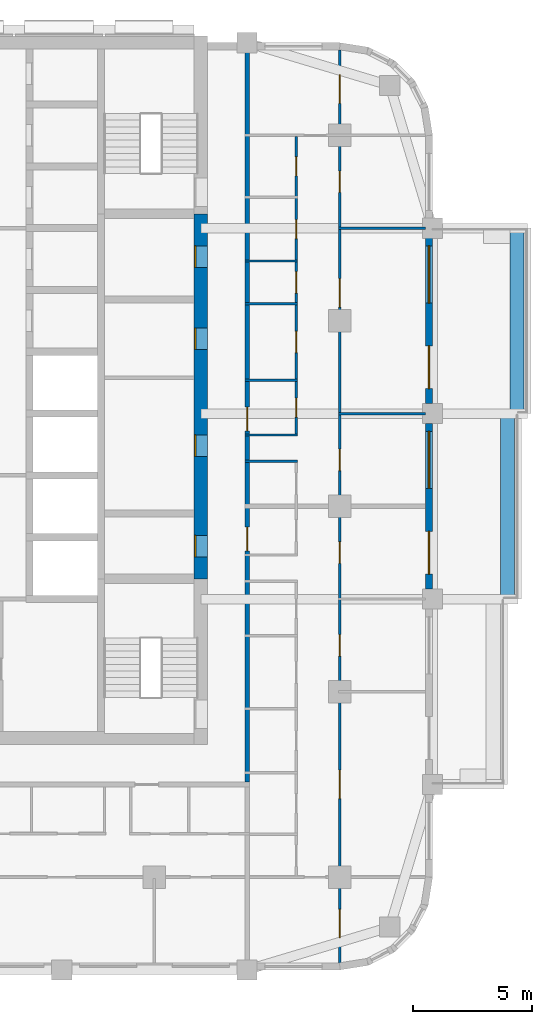
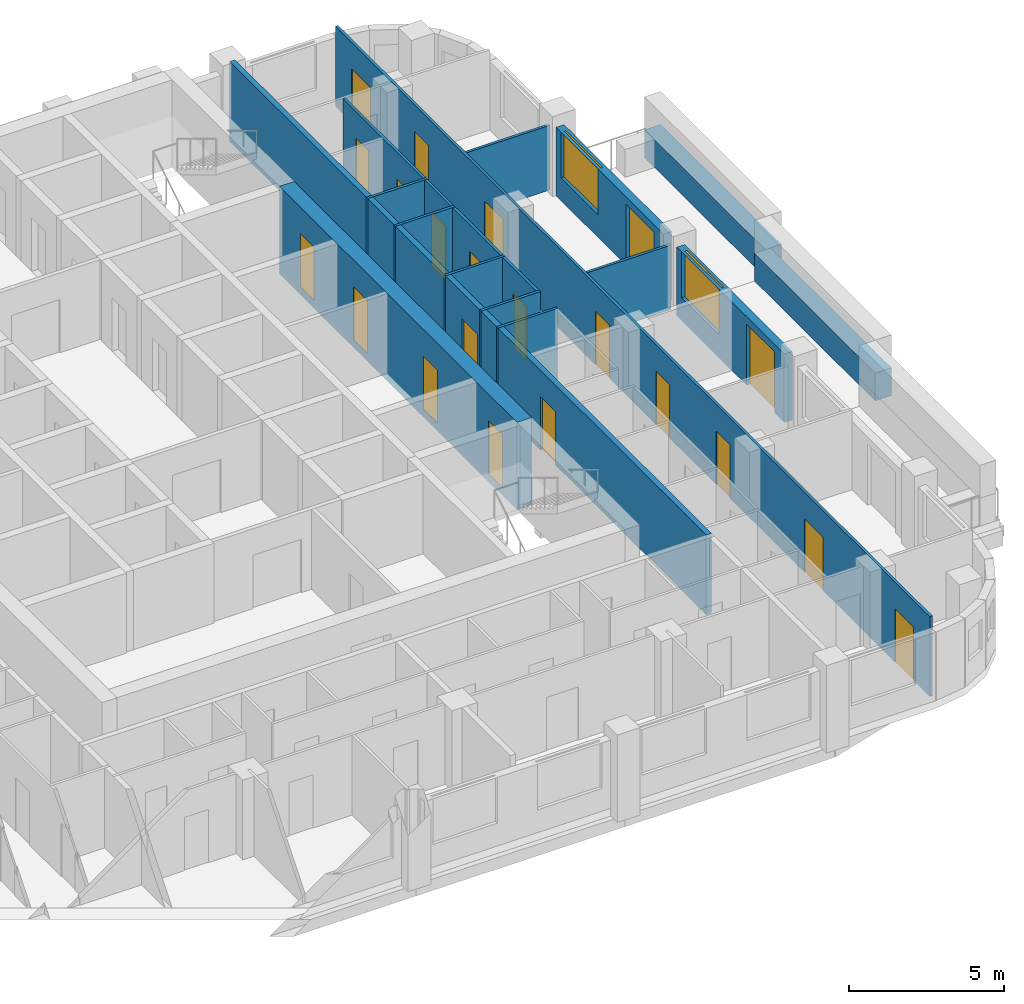
# One storey, part 7 of 13: 21 doors, 15 walls, 2 windows, 23 openings.
"""IFC4 building model written with IfcOpenShell, lengths in metres."""

import ifcopenshell
import ifcopenshell.guid

model = None  # the IFC model being written
_history = None  # IfcOwnerHistory: only IFC2X3 demands one
_inside = {}  # id of a spatial element -> (the spatial element, [elements in it])
_under = {}  # id of a project, library or spatial element -> (it, [spatial elements below it])
_declared = {}  # id of a project -> (the project, [libraries it declares])
_typed = {}  # id of a type object -> (the type object, [elements of that type])
_made_of = {}  # id of a material, layer set ... -> (it, [elements and type objects made of it])


def new_model(schema):
    """Start an empty IFC model of exactly this schema.

    Asked for "IFC4X3", IfcOpenShell would pick the latest addendum, in which some entities
    have other attributes; the version numbers below select the first issue.
    IFC2X3 requires an IfcOwnerHistory on every rooted entity: one is made here for all.
    """
    global model, _history
    if schema == "IFC4X3":
        model = ifcopenshell.file(schema_version=(4, 3, 0, 0))
    else:
        model = ifcopenshell.file(schema=schema)
    _inside.clear()
    _under.clear()
    _declared.clear()
    _typed.clear()
    _made_of.clear()
    _history = None
    if model.schema == "IFC2X3":
        org = make("IfcOrganization", Name="unknown")
        user = make(
            "IfcPersonAndOrganization",
            ThePerson=make("IfcPerson", FamilyName="unknown"),
            TheOrganization=org,
        )
        app = make(
            "IfcApplication",
            ApplicationDeveloper=org,
            Version="unknown",
            ApplicationFullName="unknown",
            ApplicationIdentifier="unknown",
        )
        _history = make(
            "IfcOwnerHistory",
            OwningUser=user,
            OwningApplication=app,
            ChangeAction="ADDED",
            CreationDate=0,
        )
    return model


def make(cls, **values):
    """One entity of the class cls with the attributes given. An attribute that is None is left unset."""
    return model.create_entity(
        cls, **{name: value for name, value in values.items() if value is not None}
    )


def rooted(cls, **values):
    """An entity with a GlobalId (a new one), such as an element, a storey or a relation."""
    return make(cls, GlobalId=ifcopenshell.guid.new(), OwnerHistory=_history, **values)


def si_unit(unit_type, name, prefix=None):
    """IfcSIUnit, for example si_unit("LENGTHUNIT", "METRE", prefix="MILLI")."""
    return make("IfcSIUnit", UnitType=unit_type, Prefix=prefix, Name=name)


def assignment(units):
    """IfcUnitAssignment: the units of a project."""
    return None if units is None else make("IfcUnitAssignment", Units=units)


def point(xyz):
    """IfcCartesianPoint."""
    return None if xyz is None else make("IfcCartesianPoint", Coordinates=xyz)


def direction(xyz):
    """IfcDirection."""
    return None if xyz is None else make("IfcDirection", DirectionRatios=xyz)


def frame(location, z_axis=None, x_axis=None):
    """IfcAxis2Placement3D, a coordinate frame: its origin and axes. An axis left out is left unset."""
    return make(
        "IfcAxis2Placement3D",
        Location=point(location),
        Axis=direction(z_axis),
        RefDirection=direction(x_axis),
    )


def frame_2d(location, x_axis=None):
    """IfcAxis2Placement2D, a coordinate frame in the plane: its origin and x axis."""
    return make(
        "IfcAxis2Placement2D", Location=point(location), RefDirection=direction(x_axis)
    )


def origin():
    """The frame at (0, 0, 0) with its axes left unset."""
    return frame((0.0, 0.0, 0.0))


def place(relative_to, where):
    """IfcLocalPlacement: puts the frame where relative to a parent placement (None: the world)."""
    return make(
        "IfcLocalPlacement", PlacementRelTo=relative_to, RelativePlacement=where
    )


def context(
    kind, dimensions, precision=None, world=None, true_north=None, identifier=None
):
    """IfcGeometricRepresentationContext, for example the 3D "Model" context."""
    return make(
        "IfcGeometricRepresentationContext",
        ContextIdentifier=identifier,
        ContextType=kind,
        CoordinateSpaceDimension=dimensions,
        Precision=precision,
        WorldCoordinateSystem=world,
        TrueNorth=true_north,
    )


def subcontext(parent, identifier, kind, view, scale=None):
    """IfcGeometricRepresentationSubContext, for example "Body" below "Model"."""
    return make(
        "IfcGeometricRepresentationSubContext",
        ContextIdentifier=identifier,
        ContextType=kind,
        ParentContext=parent,
        TargetScale=scale,
        TargetView=view,
    )


def project(units=None, contexts=None):
    """IfcProject with its units and contexts."""
    return rooted(
        "IfcProject",
        Name="project",
        RepresentationContexts=contexts,
        UnitsInContext=assignment(units),
    )


def spatial(cls, under=None, at=None, **own):
    """A site, building, storey or space (cls), placed at a placement, below another one or the project."""
    s = rooted(cls, ObjectPlacement=at, **own)
    if under is not None:
        _under.setdefault(under.id(), (under, []))[1].append(s)
    return s


def profile(cls, at=None, kind="AREA", **sizes):
    """A parametric profile (cls). Its sizes go by their IFC names, for example OverallWidth=200.0."""
    return make(cls, ProfileType=kind, Position=at, **sizes)


def rectangle(**sizes):
    """IfcRectangleProfileDef."""
    return profile("IfcRectangleProfileDef", **sizes)


def extrude(swept, where, along, depth):
    """IfcExtrudedAreaSolid: the profile swept, set in the frame where, extruded along a direction by depth."""
    return make(
        "IfcExtrudedAreaSolid",
        SweptArea=swept,
        Position=where,
        ExtrudedDirection=direction(along),
        Depth=depth,
    )


def shape(context_of_items, identifier, shape_type, items):
    """IfcShapeRepresentation: the items that make up one representation, for example the "Body"."""
    return make(
        "IfcShapeRepresentation",
        ContextOfItems=context_of_items,
        RepresentationIdentifier=identifier,
        RepresentationType=shape_type,
        Items=items,
    )


def material(Name=None, Category=None):
    """IfcMaterial."""
    return make("IfcMaterial", Name=Name, Category=Category)


def layer(
    of_material, thickness, ventilated=None, Name=None, Category=None, Priority=None
):
    """IfcMaterialLayer: one layer of a wall or slab, of a material (None: an air gap)."""
    return make(
        "IfcMaterialLayer",
        Material=of_material,
        LayerThickness=thickness,
        IsVentilated=ventilated,
        Name=Name,
        Category=Category,
        Priority=Priority,
    )


def layer_set(layers, Name=None):
    """IfcMaterialLayerSet."""
    return make("IfcMaterialLayerSet", MaterialLayers=layers, LayerSetName=Name)


def made_of(thing, what):
    """Note that an element or type object is made of a material, layer set ...; save() writes the relation."""
    if what is not None:
        _made_of.setdefault(what.id(), (what, []))[1].append(thing)
    return thing


def type_object(cls, material=None, **own):
    """A type object (cls), such as IfcWallType, which elements share."""
    return made_of(rooted(cls, **own), material)


def element(
    cls,
    number,
    at=None,
    inside=None,
    cuts=None,
    type_object=None,
    material=None,
    context=None,
    identifier="Body",
    shape_type=None,
    held_by="IfcProductDefinitionShape",
    body=None,
    shapes=None,
    **own,
):
    """One element of the class cls, such as IfcWall. Its Tag is "e" and its number.

    at: its placement. inside: the storey or other place that contains it. cuts: it is an
    opening in that element (IfcRelVoidsElement). A single representation is given by context,
    identifier, shape_type and body (its items); several are given by shapes. held_by: the class
    of the entity that holds the representations. save() writes the other relations.
    """
    e = rooted(cls, Tag="e%d" % number, ObjectPlacement=at, **own)
    if body is not None:
        shapes = [shape(context, identifier, shape_type, body)]
    if shapes is not None:
        e.Representation = make(held_by, Representations=shapes)
    if inside is not None:
        _inside.setdefault(inside.id(), (inside, []))[1].append(e)
    if cuts is not None:
        rooted(
            "IfcRelVoidsElement", RelatingBuildingElement=cuts, RelatedOpeningElement=e
        )
    if type_object is not None:
        _typed.setdefault(type_object.id(), (type_object, []))[1].append(e)
    return made_of(e, material)


def fill(opening, filler):
    """IfcRelFillsElement: the door or window that sits in an opening."""
    return rooted(
        "IfcRelFillsElement",
        RelatingOpeningElement=opening,
        RelatedBuildingElement=filler,
    )


def aggregate(whole, parts):
    """IfcRelAggregates: a whole, such as a stair, and the parts it consists of."""
    return rooted("IfcRelAggregates", RelatingObject=whole, RelatedObjects=parts)


def save(model, path):
    """Write the relations noted so far, then the file.

    IfcRelAggregates (storeys below a building ...), IfcRelContainedInSpatialStructure (elements
    in a storey), IfcRelDefinesByType, IfcRelAssociatesMaterial and IfcRelDeclares: one each for
    every whole, place, type object, material and project.
    """
    for whole, parts in _under.values():
        aggregate(whole, parts)
    for where, things in _inside.values():
        rooted(
            "IfcRelContainedInSpatialStructure",
            RelatedElements=things,
            RelatingStructure=where,
        )
    for kind, things in _typed.values():
        rooted("IfcRelDefinesByType", RelatedObjects=things, RelatingType=kind)
    for what, things in _made_of.values():
        rooted("IfcRelAssociatesMaterial", RelatedObjects=things, RelatingMaterial=what)
    for by, libraries in _declared.values():
        rooted("IfcRelDeclares", RelatingContext=by, RelatedDefinitions=libraries)
    model.write(path)


model = new_model("IFC4")

# Units and contexts
model_context = context("Model", 3, precision=1e-05, world=origin(), true_north=direction((0.0, 1.0)))
body_context = subcontext(model_context, "Body", "Model", "MODEL_VIEW")
ifc_project = project(units=[si_unit("LENGTHUNIT", "METRE"), si_unit("AREAUNIT", "SQUARE_METRE"), si_unit("VOLUMEUNIT", "CUBIC_METRE"), si_unit("PLANEANGLEUNIT", "RADIAN"), si_unit("MASSUNIT", "GRAM", prefix="KILO")], contexts=[model_context])

# Site, building, storey
site_placement = place(None, origin())
site = spatial("IfcSite", under=ifc_project, at=site_placement, CompositionType="ELEMENT")
building_placement = place(site_placement, origin())
building = spatial("IfcBuilding", under=site, at=building_placement, Name="Ludao Terraces", CompositionType="ELEMENT")
storey_placement = place(building_placement, frame((0.0, 0.0, 123.699951171875)))
storey = spatial("IfcBuildingStorey", under=building, at=storey_placement, Name="L33", CompositionType="ELEMENT", Elevation=123.699951171875)

# Wall, openings, doors
ifc_material_1 = material(Name="Concrete C60", Category="concrete")
ifc_layer_1 = layer(ifc_material_1, 0.550048828125)
ifc_layer_set_1 = layer_set([ifc_layer_1], Name="Core wall 550 C60")
wall_type_1 = type_object("IfcWallType", Name="Core wall 550 C60", PredefinedType="SOLIDWALL", material=ifc_layer_set_1)
wall_1_placement = place(storey_placement, frame((94.75, 61.949951171875, -0.300048828125), z_axis=(0.0, 0.0, 1.0), x_axis=(0.0, 1.0, 0.0)))
wall_1 = element("IfcWall", 1, at=wall_1_placement, inside=storey, type_object=wall_type_1, Name="Core wall L33 outer-E", PredefinedType="SOLIDWALL", context=body_context, shape_type="SweptSolid", body=[
    extrude(rectangle(XDim=15.35009765625, YDim=0.550048828125, at=frame_2d((7.675048828125, 0.0))), origin(), (0.0, 0.0, 1.0), 3.4501953125),
])
opening_1_placement = place(wall_1_placement, frame((0.925048828125, 0.0, 0.300048828125)))
opening_1 = element("IfcOpeningElement", 2, at=opening_1_placement, cuts=wall_1, Name="Opening R10-043", PredefinedType="OPENING", context=body_context, shape_type="SweptSolid", body=[
    extrude(rectangle(XDim=0.89990234375, YDim=2.10009765625, at=frame_2d((0.449951171875, 1.050048828125))), frame((0.0, 0.28515625, 0.0), z_axis=(0.0, -1.0, 0.0), x_axis=(1.0, 0.0, 0.0)), (0.0, 0.0, 1.0), 0.570068359375),
])
opening_2_placement = place(wall_1_placement, frame((5.14990234375, 0.0, 0.300048828125)))
opening_2 = element("IfcOpeningElement", 3, at=opening_2_placement, cuts=wall_1, Name="Opening R10-053", PredefinedType="OPENING", context=body_context, shape_type="SweptSolid", body=[
    extrude(rectangle(XDim=0.89990234375, YDim=2.10009765625, at=frame_2d((0.449951171875, 1.050048828125))), frame((0.0, 0.28515625, 0.0), z_axis=(0.0, -1.0, 0.0), x_axis=(1.0, 0.0, 0.0)), (0.0, 0.0, 1.0), 0.570068359375),
])
opening_3_placement = place(wall_1_placement, frame((9.64990234375, 0.0, 0.300048828125)))
opening_3 = element("IfcOpeningElement", 4, at=opening_3_placement, cuts=wall_1, Name="Opening R10-064", PredefinedType="OPENING", context=body_context, shape_type="SweptSolid", body=[
    extrude(rectangle(XDim=0.89990234375, YDim=2.10009765625, at=frame_2d((0.449951171875, 1.050048828125))), frame((0.0, 0.28515625, 0.0), z_axis=(0.0, -1.0, 0.0), x_axis=(1.0, 0.0, 0.0)), (0.0, 0.0, 1.0), 0.570068359375),
])
opening_4_placement = place(wall_1_placement, frame((13.10009765625, 0.0, 0.300048828125)))
opening_4 = element("IfcOpeningElement", 5, at=opening_4_placement, cuts=wall_1, Name="Opening R10-074", PredefinedType="OPENING", context=body_context, shape_type="SweptSolid", body=[
    extrude(rectangle(XDim=0.89990234375, YDim=2.10009765625, at=frame_2d((0.449951171875, 1.050048828125))), frame((0.0, 0.28515625, 0.0), z_axis=(0.0, -1.0, 0.0), x_axis=(1.0, 0.0, 0.0)), (0.0, 0.0, 1.0), 0.570068359375),
])
ifc_material_2 = material(Name="Steel Q235", Category="steel")
door_type_1 = type_object("IfcDoorType", Name="INT Riser door 900", OperationType="SINGLE_SWING_LEFT", PredefinedType="DOOR", material=ifc_material_2)
door_1_placement = place(opening_1_placement, origin())
door_1 = element("IfcDoor", 6, at=door_1_placement, inside=storey, type_object=door_type_1, Name="DOOR 043", OperationType="SINGLE_SWING_LEFT", OverallHeight=2.10009765625, OverallWidth=0.89990234375, PredefinedType="DOOR", context=body_context, shape_type="SweptSolid", body=[
    extrude(rectangle(XDim=0.89990234375, YDim=2.10009765625, at=frame_2d((0.449951171875, 1.050048828125))), frame((0.0, 0.26025390625, 0.0), z_axis=(0.0, -1.0, 0.0), x_axis=(1.0, 0.0, 0.0)), (0.0, 0.0, 1.0), 0.050048828125),
])
fill(opening_1, door_1)
door_2_placement = place(opening_4_placement, origin())
door_2 = element("IfcDoor", 7, at=door_2_placement, inside=storey, type_object=door_type_1, Name="DOOR 074", OperationType="SINGLE_SWING_RIGHT", OverallHeight=2.10009765625, OverallWidth=0.89990234375, PredefinedType="DOOR", context=body_context, shape_type="SweptSolid", body=[
    extrude(rectangle(XDim=0.89990234375, YDim=2.10009765625, at=frame_2d((0.449951171875, 1.050048828125))), frame((0.0, 0.26025390625, 0.0), z_axis=(0.0, -1.0, 0.0), x_axis=(1.0, 0.0, 0.0)), (0.0, 0.0, 1.0), 0.050048828125),
])
fill(opening_4, door_2)
ifc_material_3 = material(Name="Timber door leaf", Category="wood")
door_type_2 = type_object("IfcDoorType", Name="INT Room door 900", OperationType="SINGLE_SWING_LEFT", PredefinedType="DOOR", material=ifc_material_3)
door_3_placement = place(opening_2_placement, origin())
door_3 = element("IfcDoor", 8, at=door_3_placement, inside=storey, type_object=door_type_2, Name="DOOR 053", OperationType="SINGLE_SWING_LEFT", OverallHeight=2.10009765625, OverallWidth=0.89990234375, PredefinedType="DOOR", context=body_context, shape_type="SweptSolid", body=[
    extrude(rectangle(XDim=0.89990234375, YDim=2.10009765625, at=frame_2d((0.449951171875, 1.050048828125))), frame((0.0, 0.26025390625, 0.0), z_axis=(0.0, -1.0, 0.0), x_axis=(1.0, 0.0, 0.0)), (0.0, 0.0, 1.0), 0.050048828125),
])
fill(opening_2, door_3)
door_4_placement = place(opening_3_placement, origin())
door_4 = element("IfcDoor", 9, at=door_4_placement, inside=storey, type_object=door_type_2, Name="DOOR 064", OperationType="SINGLE_SWING_RIGHT", OverallHeight=2.10009765625, OverallWidth=0.89990234375, PredefinedType="DOOR", context=body_context, shape_type="SweptSolid", body=[
    extrude(rectangle(XDim=0.89990234375, YDim=2.10009765625, at=frame_2d((0.449951171875, 1.050048828125))), frame((0.0, 0.26025390625, 0.0), z_axis=(0.0, -1.0, 0.0), x_axis=(1.0, 0.0, 0.0)), (0.0, 0.0, 1.0), 0.050048828125),
])
fill(opening_3, door_4)

# Walls
ifc_material_4 = material(Name="Concrete C40", Category="concrete")
ifc_layer_2 = layer(ifc_material_4, 0.60009765625)
ifc_layer_set_2 = layer_set([ifc_layer_2], Name="ENV Planter trough 600")
wall_type_2 = type_object("IfcWallType", Name="ENV Planter trough 600", PredefinedType="USERDEFINED", material=ifc_layer_set_2)
wall_2_placement = place(storey_placement, frame((107.64990234375, 61.10009765625, 0.0), z_axis=(0.0, 0.0, 1.0), x_axis=(0.0, 1.0, 0.0)))
element("IfcWall", 10, at=wall_2_placement, inside=storey, type_object=wall_type_2, Name="PL-L33-E2", ObjectType="PLANTER", PredefinedType="USERDEFINED", context=body_context, shape_type="SweptSolid", body=[
    extrude(rectangle(XDim=7.7998046875, YDim=0.60009765625, at=frame_2d((3.89990234375, 0.0))), origin(), (0.0, 0.0, 1.0), 1.10009765625),
])
wall_3_placement = place(storey_placement, frame((108.050048828125, 68.89990234375, 0.0), z_axis=(0.0, 0.0, 1.0), x_axis=(0.0, 1.0, 0.0)))
element("IfcWall", 11, at=wall_3_placement, inside=storey, type_object=wall_type_2, Name="PL-L33-E3", ObjectType="PLANTER", PredefinedType="USERDEFINED", context=body_context, shape_type="SweptSolid", body=[
    extrude(rectangle(XDim=7.800048828125, YDim=0.60009765625, at=frame_2d((3.89990234375, 0.0))), origin(), (0.0, 0.0, 1.0), 1.10009765625),
])

# Wall, openings, door, window
ifc_material_5 = material(Name="Granite cladding", Category="masonry")
ifc_layer_3 = layer(ifc_material_5, 0.0400390625, Category="stone")
ifc_material_6 = material(Name="Mineral wool")
ifc_layer_4 = layer(ifc_material_6, 0.06005859375)
ifc_layer_5 = layer(ifc_material_4, 0.199951171875, Category="concrete")
ifc_layer_set_3 = layer_set([ifc_layer_3, ifc_layer_4, ifc_layer_5], Name="ENV Stone-clad wall 300")
wall_type_3 = type_object("IfcWallType", Name="ENV Stone-clad wall 300", PredefinedType="SOLIDWALL", material=ifc_layer_set_3)
wall_4_placement = place(storey_placement, frame((104.35009765625, 61.52490234375, 0.0), z_axis=(0.0, 0.0, 1.0), x_axis=(0.0, 1.0, 0.0)))
wall_4 = element("IfcWall", 12, at=wall_4_placement, inside=storey, type_object=wall_type_3, Name="EW-L33-E3", PredefinedType="SOLIDWALL", context=body_context, shape_type="SweptSolid", body=[
    extrude(rectangle(XDim=6.9501953125, YDim=0.300048828125, at=frame_2d((3.47509765625, 0.0))), origin(), (0.0, 0.0, 1.0), 2.699951171875),
])
opening_5_placement = place(wall_4_placement, frame((0.625, 0.0, 0.0)))
opening_5 = element("IfcOpeningElement", 13, at=opening_5_placement, cuts=wall_4, Name="Opening BD", PredefinedType="OPENING", context=body_context, shape_type="SweptSolid", body=[
    extrude(rectangle(XDim=1.800048828125, YDim=2.39990234375, at=frame_2d((0.89990234375, 1.199951171875))), frame((0.0, 0.16015625, 0.0), z_axis=(0.0, -1.0, 0.0), x_axis=(1.0, 0.0, 0.0)), (0.0, 0.0, 1.0), 0.320068359375),
])
opening_6_placement = place(wall_4_placement, frame((4.22509765625, 0.0, 0.89990234375)))
opening_6 = element("IfcOpeningElement", 14, at=opening_6_placement, cuts=wall_4, Name="Opening W1", PredefinedType="OPENING", context=body_context, shape_type="SweptSolid", body=[
    extrude(rectangle(XDim=2.39990234375, YDim=1.800048828125, at=frame_2d((1.199951171875, 0.89990234375))), frame((0.0, 0.16015625, 0.0), z_axis=(0.0, -1.0, 0.0), x_axis=(1.0, 0.0, 0.0)), (0.0, 0.0, 1.0), 0.320068359375),
])
ifc_material_7 = material(Name="Aluminium glazed door", Category="aluminium")
ifc_layer_6 = layer(ifc_material_7, 0.06005859375)
ifc_layer_set_4 = layer_set([ifc_layer_6], Name="ENV Balcony door BD 1800x2400")
door_type_3 = type_object("IfcDoorType", Name="ENV Balcony door BD 1800x2400", OperationType="DOUBLE_DOOR_SINGLE_SWING", PredefinedType="DOOR", material=ifc_layer_set_4)
door_5_placement = place(opening_5_placement, origin())
door_5 = element("IfcDoor", 15, at=door_5_placement, inside=storey, type_object=door_type_3, Name="BD-L33-E3-1", OperationType="DOUBLE_DOOR_SINGLE_SWING", OverallHeight=2.39990234375, OverallWidth=1.800048828125, PredefinedType="DOOR", context=body_context, shape_type="SweptSolid", body=[
    extrude(rectangle(XDim=1.800048828125, YDim=2.39990234375, at=frame_2d((0.89990234375, 1.199951171875))), frame((0.0, 0.02490234375, 0.0), z_axis=(0.0, -1.0, 0.0), x_axis=(1.0, 0.0, 0.0)), (0.0, 0.0, 1.0), 0.050048828125),
])
fill(opening_5, door_5)
ifc_material_8 = material(Name="Clear glass in aluminium frame", Category="aluminium")
ifc_layer_7 = layer(ifc_material_8, 0.06005859375)
ifc_layer_set_5 = layer_set([ifc_layer_7], Name="ENV Window W1 2400x1800")
window_type = type_object("IfcWindowType", Name="ENV Window W1 2400x1800", PartitioningType="DOUBLE_PANEL_VERTICAL", PredefinedType="WINDOW", material=ifc_layer_set_5)
window_1_placement = place(opening_6_placement, origin())
window_1 = element("IfcWindow", 16, at=window_1_placement, inside=storey, type_object=window_type, Name="W-L33-E3-2", OverallHeight=1.800048828125, OverallWidth=2.39990234375, PartitioningType="DOUBLE_PANEL_VERTICAL", PredefinedType="WINDOW", context=body_context, shape_type="SweptSolid", body=[
    extrude(rectangle(XDim=2.39990234375, YDim=1.800048828125, at=frame_2d((1.199951171875, 0.89990234375))), frame((0.0, 0.030029296875, 0.0), z_axis=(0.0, -1.0, 0.0), x_axis=(1.0, 0.0, 0.0)), (0.0, 0.0, 1.0), 0.06005859375),
])
fill(opening_6, window_1)

wall_5_placement = place(storey_placement, frame((104.35009765625, 69.324951171875, 0.0), z_axis=(0.0, 0.0, 1.0), x_axis=(0.0, 1.0, 0.0)))
wall_5 = element("IfcWall", 17, at=wall_5_placement, inside=storey, type_object=wall_type_3, Name="EW-L33-E4", PredefinedType="SOLIDWALL", context=body_context, shape_type="SweptSolid", body=[
    extrude(rectangle(XDim=6.949951171875, YDim=0.300048828125, at=frame_2d((3.47509765625, 0.0))), origin(), (0.0, 0.0, 1.0), 2.699951171875),
])
opening_7_placement = place(wall_5_placement, frame((0.625, 0.0, 0.0)))
opening_7 = element("IfcOpeningElement", 18, at=opening_7_placement, cuts=wall_5, Name="Opening BD", PredefinedType="OPENING", context=body_context, shape_type="SweptSolid", body=[
    extrude(rectangle(XDim=1.800048828125, YDim=2.39990234375, at=frame_2d((0.89990234375, 1.199951171875))), frame((0.0, 0.16015625, 0.0), z_axis=(0.0, -1.0, 0.0), x_axis=(1.0, 0.0, 0.0)), (0.0, 0.0, 1.0), 0.320068359375),
])
opening_8_placement = place(wall_5_placement, frame((4.22509765625, 0.0, 0.89990234375)))
opening_8 = element("IfcOpeningElement", 19, at=opening_8_placement, cuts=wall_5, Name="Opening W1", PredefinedType="OPENING", context=body_context, shape_type="SweptSolid", body=[
    extrude(rectangle(XDim=2.39990234375, YDim=1.800048828125, at=frame_2d((1.199951171875, 0.89990234375))), frame((0.0, 0.16015625, 0.0), z_axis=(0.0, -1.0, 0.0), x_axis=(1.0, 0.0, 0.0)), (0.0, 0.0, 1.0), 0.320068359375),
])
door_6_placement = place(opening_7_placement, origin())
door_6 = element("IfcDoor", 20, at=door_6_placement, inside=storey, type_object=door_type_3, Name="BD-L33-E4-1", OperationType="DOUBLE_DOOR_SINGLE_SWING", OverallHeight=2.39990234375, OverallWidth=1.800048828125, PredefinedType="DOOR", context=body_context, shape_type="SweptSolid", body=[
    extrude(rectangle(XDim=1.800048828125, YDim=2.39990234375, at=frame_2d((0.89990234375, 1.199951171875))), frame((0.0, 0.02490234375, 0.0), z_axis=(0.0, -1.0, 0.0), x_axis=(1.0, 0.0, 0.0)), (0.0, 0.0, 1.0), 0.050048828125),
])
fill(opening_7, door_6)
window_2_placement = place(opening_8_placement, origin())
window_2 = element("IfcWindow", 21, at=window_2_placement, inside=storey, type_object=window_type, Name="W-L33-E4-2", OverallHeight=1.800048828125, OverallWidth=2.39990234375, PartitioningType="DOUBLE_PANEL_VERTICAL", PredefinedType="WINDOW", context=body_context, shape_type="SweptSolid", body=[
    extrude(rectangle(XDim=2.39990234375, YDim=1.800048828125, at=frame_2d((1.199951171875, 0.89990234375))), frame((0.0, 0.030029296875, 0.0), z_axis=(0.0, -1.0, 0.0), x_axis=(1.0, 0.0, 0.0)), (0.0, 0.0, 1.0), 0.06005859375),
])
fill(opening_8, window_2)

# Wall, openings, doors
ifc_material_9 = material(Name="Autoclaved aerated concrete block B06 A3.5", Category="concrete")
ifc_layer_8 = layer(ifc_material_9, 0.199951171875)
ifc_layer_set_6 = layer_set([ifc_layer_8], Name="INT Entrance wall 200")
wall_type_4 = type_object("IfcWallType", Name="INT Entrance wall 200", PredefinedType="PARTITIONING", material=ifc_layer_set_6)
wall_6_placement = place(storey_placement, frame((96.699951171875, 53.400146484375, 0.0), z_axis=(0.0, 0.0, 1.0), x_axis=(0.0, 1.0, 0.0)))
wall_6 = element("IfcWall", 22, at=wall_6_placement, inside=storey, type_object=wall_type_4, Name="PW-L33-PW067", PredefinedType="PARTITIONING", context=body_context, shape_type="SweptSolid", body=[
    extrude(rectangle(XDim=30.800048828125, YDim=0.199951171875, at=frame_2d((15.39990234375, 0.0))), origin(), (0.0, 0.0, 1.0), 3.150146484375),
])
opening_9_placement = place(wall_6_placement, frame((9.72509765625, 0.0, 0.0)))
opening_9 = element("IfcOpeningElement", 23, at=opening_9_placement, cuts=wall_6, Name="Opening R10-044", PredefinedType="OPENING", context=body_context, shape_type="SweptSolid", body=[
    extrude(rectangle(XDim=1.0, YDim=2.10009765625, at=frame_2d((0.5, 1.050048828125))), frame((0.0, 0.10986328125, 0.0), z_axis=(0.0, -1.0, 0.0), x_axis=(1.0, 0.0, 0.0)), (0.0, 0.0, 1.0), 0.219970703125),
])
opening_10_placement = place(wall_6_placement, frame((14.77490234375, 0.0, 0.0)))
opening_10 = element("IfcOpeningElement", 24, at=opening_10_placement, cuts=wall_6, Name="Opening R10-057", PredefinedType="OPENING", context=body_context, shape_type="SweptSolid", body=[
    extrude(rectangle(XDim=1.0, YDim=2.10009765625, at=frame_2d((0.5, 1.050048828125))), frame((0.0, 0.10986328125, 0.0), z_axis=(0.0, -1.0, 0.0), x_axis=(1.0, 0.0, 0.0)), (0.0, 0.0, 1.0), 0.219970703125),
])
door_type_4 = type_object("IfcDoorType", Name="INT Flat entrance door 1000", OperationType="SINGLE_SWING_LEFT", PredefinedType="DOOR", material=ifc_material_2)
door_7_placement = place(opening_9_placement, origin())
door_7 = element("IfcDoor", 25, at=door_7_placement, inside=storey, type_object=door_type_4, Name="DOOR 044", OperationType="SINGLE_SWING_LEFT", OverallHeight=2.10009765625, OverallWidth=1.0, PredefinedType="DOOR", context=body_context, shape_type="SweptSolid", body=[
    extrude(rectangle(XDim=1.0, YDim=2.10009765625, at=frame_2d((0.5, 1.050048828125))), frame((0.0, 0.02490234375, 0.0), z_axis=(0.0, -1.0, 0.0), x_axis=(1.0, 0.0, 0.0)), (0.0, 0.0, 1.0), 0.050048828125),
])
fill(opening_9, door_7)
door_8_placement = place(opening_10_placement, origin())
door_8 = element("IfcDoor", 26, at=door_8_placement, inside=storey, type_object=door_type_4, Name="DOOR 057", OperationType="SINGLE_SWING_LEFT", OverallHeight=2.10009765625, OverallWidth=1.0, PredefinedType="DOOR", context=body_context, shape_type="SweptSolid", body=[
    extrude(rectangle(XDim=1.0, YDim=2.10009765625, at=frame_2d((0.5, 1.050048828125))), frame((0.0, 0.02490234375, 0.0), z_axis=(0.0, -1.0, 0.0), x_axis=(1.0, 0.0, 0.0)), (0.0, 0.0, 1.0), 0.050048828125),
])
fill(opening_10, door_8)

# Walls
ifc_material_10 = material(Name="Gypsum plasterboard", Category="gypsum")
ifc_layer_9 = layer(ifc_material_10, 0.012451171875, Category="gypsum")
ifc_layer_10 = layer(ifc_material_6, 0.06005859375, Name="insulation")
ifc_layer_11 = layer(ifc_material_2, 0.014892578125, Name="stud")
ifc_layer_12 = layer(ifc_material_10, 0.012451171875, Category="gypsum")
ifc_layer_set_7 = layer_set([ifc_layer_9, ifc_layer_10, ifc_layer_11, ifc_layer_12], Name="INT Partition 100")
wall_type_5 = type_object("IfcWallType", Name="INT Partition 100", PredefinedType="PARTITIONING", material=ifc_layer_set_7)
for number, where, z_axis, x_axis, name in (
    (27, (96.60009765625, 66.89990234375, 0.0), (0.0, 0.0, 1.0), (1.0, 0.0, 0.0), "PW-L33-PW025"),
    (28, (96.60009765625, 68.0, 0.0), (0.0, 0.0, 1.0), (1.0, 0.0, 0.0), "PW-L33-PW028"),
):
    element("IfcWall", number, at=place(storey_placement, frame(where, z_axis=z_axis, x_axis=x_axis)), inside=storey, type_object=wall_type_5, Name=name, PredefinedType="PARTITIONING", context=body_context, shape_type="SweptSolid", body=[
        extrude(rectangle(XDim=2.219970703125, YDim=0.10009765625, at=frame_2d((1.10986328125, 0.0))), origin(), (0.0, 0.0, 1.0), 3.150146484375),
    ])
wall_7_placement = place(storey_placement, frame((100.550048828125, 68.89990234375, 0.0), z_axis=(0.0, 0.0, 1.0), x_axis=(1.0, 0.0, 0.0)))
element("IfcWall", 29, at=wall_7_placement, inside=storey, type_object=wall_type_5, Name="PW-L33-PW030", PredefinedType="PARTITIONING", context=body_context, shape_type="SweptSolid", body=[
    extrude(rectangle(XDim=3.650146484375, YDim=0.10009765625, at=frame_2d((1.8251953125, 0.0))), origin(), (0.0, 0.0, 1.0), 2.550048828125),
])
for number, where, z_axis, x_axis, name in (
    (30, (96.60009765625, 70.300048828125, 0.0), (0.0, 0.0, 1.0), (1.0, 0.0, 0.0), "PW-L33-PW032"),
    (31, (96.60009765625, 73.52001953125, 0.0), (0.0, 0.0, 1.0), (1.0, 0.0, 0.0), "PW-L33-PW036"),
    (32, (96.60009765625, 75.320068359375, 0.0), (0.0, 0.0, 1.0), (1.0, 0.0, 0.0), "PW-L33-PW038"),
):
    element("IfcWall", number, at=place(storey_placement, frame(where, z_axis=z_axis, x_axis=x_axis)), inside=storey, type_object=wall_type_5, Name=name, PredefinedType="PARTITIONING", context=body_context, shape_type="SweptSolid", body=[
        extrude(rectangle(XDim=2.219970703125, YDim=0.10009765625, at=frame_2d((1.10986328125, 0.0))), origin(), (0.0, 0.0, 1.0), 3.150146484375),
    ])
wall_8_placement = place(storey_placement, frame((100.550048828125, 76.699951171875, 0.0), z_axis=(0.0, 0.0, 1.0), x_axis=(1.0, 0.0, 0.0)))
element("IfcWall", 33, at=wall_8_placement, inside=storey, type_object=wall_type_5, Name="PW-L33-PW041", PredefinedType="PARTITIONING", context=body_context, shape_type="SweptSolid", body=[
    extrude(rectangle(XDim=3.650146484375, YDim=0.10009765625, at=frame_2d((1.8251953125, 0.0))), origin(), (0.0, 0.0, 1.0), 2.550048828125),
])

# Wall, openings, doors
wall_9_placement = place(storey_placement, frame((98.77001953125, 68.050048828125, 0.0), z_axis=(0.0, 0.0, 1.0), x_axis=(0.0, 1.0, 0.0)))
wall_9 = element("IfcWall", 34, at=wall_9_placement, inside=storey, type_object=wall_type_5, Name="PW-L33-PW070", PredefinedType="PARTITIONING", context=body_context, shape_type="SweptSolid", body=[
    extrude(rectangle(XDim=12.5, YDim=0.10009765625, at=frame_2d((6.25, 0.0))), origin(), (0.0, 0.0, 1.0), 3.150146484375),
])
opening_11_placement = place(wall_9_placement, frame((0.699951171875, 0.0, 0.0)))
opening_11 = element("IfcOpeningElement", 35, at=opening_11_placement, cuts=wall_9, Name="Opening R10-058", PredefinedType="OPENING", context=body_context, shape_type="SweptSolid", body=[
    extrude(rectangle(XDim=0.800048828125, YDim=2.10009765625, at=frame_2d((0.39990234375, 1.050048828125))), frame((0.0, 0.06005859375, 0.0), z_axis=(0.0, -1.0, 0.0), x_axis=(1.0, 0.0, 0.0)), (0.0, 0.0, 1.0), 0.1201171875),
])
opening_12_placement = place(wall_9_placement, frame((3.409912109375, 0.0, 0.0)))
opening_12 = element("IfcOpeningElement", 36, at=opening_12_placement, cuts=wall_9, Name="Opening R10-063", PredefinedType="OPENING", context=body_context, shape_type="SweptSolid", body=[
    extrude(rectangle(XDim=0.89990234375, YDim=2.10009765625, at=frame_2d((0.449951171875, 1.050048828125))), frame((0.0, 0.06005859375, 0.0), z_axis=(0.0, -1.0, 0.0), x_axis=(1.0, 0.0, 0.0)), (0.0, 0.0, 1.0), 0.1201171875),
])
opening_13_placement = place(wall_9_placement, frame((5.919921875, 0.0, 0.0)))
opening_13 = element("IfcOpeningElement", 37, at=opening_13_placement, cuts=wall_9, Name="Opening R10-070", PredefinedType="OPENING", context=body_context, shape_type="SweptSolid", body=[
    extrude(rectangle(XDim=0.89990234375, YDim=2.10009765625, at=frame_2d((0.449951171875, 1.050048828125))), frame((0.0, 0.06005859375, 0.0), z_axis=(0.0, -1.0, 0.0), x_axis=(1.0, 0.0, 0.0)), (0.0, 0.0, 1.0), 0.1201171875),
])
opening_14_placement = place(wall_9_placement, frame((8.2099609375, 0.0, 0.0)))
opening_14 = element("IfcOpeningElement", 38, at=opening_14_placement, cuts=wall_9, Name="Opening R10-076", PredefinedType="OPENING", context=body_context, shape_type="SweptSolid", body=[
    extrude(rectangle(XDim=0.800048828125, YDim=2.10009765625, at=frame_2d((0.39990234375, 1.050048828125))), frame((0.0, 0.06005859375, 0.0), z_axis=(0.0, -1.0, 0.0), x_axis=(1.0, 0.0, 0.0)), (0.0, 0.0, 1.0), 0.1201171875),
])
opening_15_placement = place(wall_9_placement, frame((10.85009765625, 0.0, 0.0)))
opening_15 = element("IfcOpeningElement", 39, at=opening_15_placement, cuts=wall_9, Name="Opening R10-086", PredefinedType="OPENING", context=body_context, shape_type="SweptSolid", body=[
    extrude(rectangle(XDim=0.800048828125, YDim=2.10009765625, at=frame_2d((0.39990234375, 1.050048828125))), frame((0.0, 0.06005859375, 0.0), z_axis=(0.0, -1.0, 0.0), x_axis=(1.0, 0.0, 0.0)), (0.0, 0.0, 1.0), 0.1201171875),
])
door_type_5 = type_object("IfcDoorType", Name="INT Bathroom door 900", OperationType="SINGLE_SWING_LEFT", PredefinedType="DOOR", material=ifc_material_3)
door_9_placement = place(opening_13_placement, origin())
door_9 = element("IfcDoor", 40, at=door_9_placement, inside=storey, type_object=door_type_5, Name="DOOR 070", OperationType="SINGLE_SWING_LEFT", OverallHeight=2.10009765625, OverallWidth=0.89990234375, PredefinedType="DOOR", context=body_context, shape_type="SweptSolid", body=[
    extrude(rectangle(XDim=0.89990234375, YDim=2.10009765625, at=frame_2d((0.449951171875, 1.050048828125))), frame((0.0, 0.02490234375, 0.0), z_axis=(0.0, -1.0, 0.0), x_axis=(1.0, 0.0, 0.0)), (0.0, 0.0, 1.0), 0.050048828125),
])
fill(opening_13, door_9)
door_10_placement = place(opening_12_placement, origin())
door_10 = element("IfcDoor", 41, at=door_10_placement, inside=storey, type_object=door_type_2, Name="DOOR 063", OperationType="SINGLE_SWING_LEFT", OverallHeight=2.10009765625, OverallWidth=0.89990234375, PredefinedType="DOOR", context=body_context, shape_type="SweptSolid", body=[
    extrude(rectangle(XDim=0.89990234375, YDim=2.10009765625, at=frame_2d((0.449951171875, 1.050048828125))), frame((0.0, 0.02490234375, 0.0), z_axis=(0.0, -1.0, 0.0), x_axis=(1.0, 0.0, 0.0)), (0.0, 0.0, 1.0), 0.050048828125),
])
fill(opening_12, door_10)
door_type_6 = type_object("IfcDoorType", Name="INT Store door 800", OperationType="SINGLE_SWING_LEFT", PredefinedType="DOOR", material=ifc_material_3)
door_11_placement = place(opening_11_placement, origin())
door_11 = element("IfcDoor", 42, at=door_11_placement, inside=storey, type_object=door_type_6, Name="DOOR 058", OperationType="SINGLE_SWING_LEFT", OverallHeight=2.10009765625, OverallWidth=0.800048828125, PredefinedType="DOOR", context=body_context, shape_type="SweptSolid", body=[
    extrude(rectangle(XDim=0.800048828125, YDim=2.10009765625, at=frame_2d((0.39990234375, 1.050048828125))), frame((0.0, 0.02490234375, 0.0), z_axis=(0.0, -1.0, 0.0), x_axis=(1.0, 0.0, 0.0)), (0.0, 0.0, 1.0), 0.050048828125),
])
fill(opening_11, door_11)
door_12_placement = place(opening_14_placement, origin())
door_12 = element("IfcDoor", 43, at=door_12_placement, inside=storey, type_object=door_type_6, Name="DOOR 076", OperationType="SINGLE_SWING_LEFT", OverallHeight=2.10009765625, OverallWidth=0.800048828125, PredefinedType="DOOR", context=body_context, shape_type="SweptSolid", body=[
    extrude(rectangle(XDim=0.800048828125, YDim=2.10009765625, at=frame_2d((0.39990234375, 1.050048828125))), frame((0.0, 0.02490234375, 0.0), z_axis=(0.0, -1.0, 0.0), x_axis=(1.0, 0.0, 0.0)), (0.0, 0.0, 1.0), 0.050048828125),
])
fill(opening_14, door_12)
door_13_placement = place(opening_15_placement, origin())
door_13 = element("IfcDoor", 44, at=door_13_placement, inside=storey, type_object=door_type_6, Name="DOOR 086", OperationType="SINGLE_SWING_RIGHT", OverallHeight=2.10009765625, OverallWidth=0.800048828125, PredefinedType="DOOR", context=body_context, shape_type="SweptSolid", body=[
    extrude(rectangle(XDim=0.800048828125, YDim=2.10009765625, at=frame_2d((0.39990234375, 1.050048828125))), frame((0.0, 0.02490234375, 0.0), z_axis=(0.0, -1.0, 0.0), x_axis=(1.0, 0.0, 0.0)), (0.0, 0.0, 1.0), 0.050048828125),
])
fill(opening_15, door_13)

wall_10_placement = place(storey_placement, frame((100.60009765625, 45.800048828125, 0.0), z_axis=(0.0, 0.0, 1.0), x_axis=(0.0, 1.0, 0.0)))
wall_10 = element("IfcWall", 45, at=wall_10_placement, inside=storey, type_object=wall_type_5, Name="PW-L33-PW071", PredefinedType="PARTITIONING", context=body_context, shape_type="SweptSolid", body=[
    extrude(rectangle(XDim=38.400146484375, YDim=0.10009765625, at=frame_2d((19.2001953125, 0.0))), origin(), (0.0, 0.0, 1.0), 3.150146484375),
])
opening_16_placement = place(wall_10_placement, frame((1.050048828125, 0.0, 0.0)))
opening_16 = element("IfcOpeningElement", 46, at=opening_16_placement, cuts=wall_10, Name="Opening R10-002", PredefinedType="OPENING", context=body_context, shape_type="SweptSolid", body=[
    extrude(rectangle(XDim=1.199951171875, YDim=2.10009765625, at=frame_2d((0.60009765625, 1.050048828125))), frame((0.0, 0.06005859375, 0.0), z_axis=(0.0, -1.0, 0.0), x_axis=(1.0, 0.0, 0.0)), (0.0, 0.0, 1.0), 0.1201171875),
])
opening_17_placement = place(wall_10_placement, frame((6.89990234375, 0.0, 0.0)))
opening_17 = element("IfcOpeningElement", 47, at=opening_17_placement, cuts=wall_10, Name="Opening R10-024", PredefinedType="OPENING", context=body_context, shape_type="SweptSolid", body=[
    extrude(rectangle(XDim=1.199951171875, YDim=2.10009765625, at=frame_2d((0.60009765625, 1.050048828125))), frame((0.0, 0.06005859375, 0.0), z_axis=(0.0, -1.0, 0.0), x_axis=(1.0, 0.0, 0.0)), (0.0, 0.0, 1.0), 0.1201171875),
])
opening_18_placement = place(wall_10_placement, frame((12.89990234375, 0.0, 0.0)))
opening_18 = element("IfcOpeningElement", 48, at=opening_18_placement, cuts=wall_10, Name="Opening R10-035", PredefinedType="OPENING", context=body_context, shape_type="SweptSolid", body=[
    extrude(rectangle(XDim=0.89990234375, YDim=2.10009765625, at=frame_2d((0.449951171875, 1.050048828125))), frame((0.0, 0.06005859375, 0.0), z_axis=(0.0, -1.0, 0.0), x_axis=(1.0, 0.0, 0.0)), (0.0, 0.0, 1.0), 0.1201171875),
])
opening_19_placement = place(wall_10_placement, frame((16.800048828125, 0.0, 0.0)))
opening_19 = element("IfcOpeningElement", 49, at=opening_19_placement, cuts=wall_10, Name="Opening R10-042", PredefinedType="OPENING", context=body_context, shape_type="SweptSolid", body=[
    extrude(rectangle(XDim=0.89990234375, YDim=2.10009765625, at=frame_2d((0.449951171875, 1.050048828125))), frame((0.0, 0.06005859375, 0.0), z_axis=(0.0, -1.0, 0.0), x_axis=(1.0, 0.0, 0.0)), (0.0, 0.0, 1.0), 0.1201171875),
])
opening_20_placement = place(wall_10_placement, frame((20.699951171875, 0.0, 0.0)))
opening_20 = element("IfcOpeningElement", 50, at=opening_20_placement, cuts=wall_10, Name="Opening R10-052", PredefinedType="OPENING", context=body_context, shape_type="SweptSolid", body=[
    extrude(rectangle(XDim=0.89990234375, YDim=2.10009765625, at=frame_2d((0.449951171875, 1.050048828125))), frame((0.0, 0.06005859375, 0.0), z_axis=(0.0, -1.0, 0.0), x_axis=(1.0, 0.0, 0.0)), (0.0, 0.0, 1.0), 0.1201171875),
])
opening_21_placement = place(wall_10_placement, frame((27.574951171875, 0.0, 0.0)))
opening_21 = element("IfcOpeningElement", 51, at=opening_21_placement, cuts=wall_10, Name="Opening R10-069", PredefinedType="OPENING", context=body_context, shape_type="SweptSolid", body=[
    extrude(rectangle(XDim=1.199951171875, YDim=2.10009765625, at=frame_2d((0.60009765625, 1.050048828125))), frame((0.0, 0.06005859375, 0.0), z_axis=(0.0, -1.0, 0.0), x_axis=(1.0, 0.0, 0.0)), (0.0, 0.0, 1.0), 0.1201171875),
])
opening_22_placement = place(wall_10_placement, frame((32.39990234375, 0.0, 0.0)))
opening_22 = element("IfcOpeningElement", 52, at=opening_22_placement, cuts=wall_10, Name="Opening R10-084", PredefinedType="OPENING", context=body_context, shape_type="SweptSolid", body=[
    extrude(rectangle(XDim=0.89990234375, YDim=2.10009765625, at=frame_2d((0.449951171875, 1.050048828125))), frame((0.0, 0.06005859375, 0.0), z_axis=(0.0, -1.0, 0.0), x_axis=(1.0, 0.0, 0.0)), (0.0, 0.0, 1.0), 0.1201171875),
])
opening_23_placement = place(wall_10_placement, frame((36.14990234375, 0.0, 0.0)))
opening_23 = element("IfcOpeningElement", 53, at=opening_23_placement, cuts=wall_10, Name="Opening R10-092", PredefinedType="OPENING", context=body_context, shape_type="SweptSolid", body=[
    extrude(rectangle(XDim=1.199951171875, YDim=2.10009765625, at=frame_2d((0.60009765625, 1.050048828125))), frame((0.0, 0.06005859375, 0.0), z_axis=(0.0, -1.0, 0.0), x_axis=(1.0, 0.0, 0.0)), (0.0, 0.0, 1.0), 0.1201171875),
])
door_type_7 = type_object("IfcDoorType", Name="INT Double door 1200", OperationType="DOUBLE_DOOR_SINGLE_SWING", PredefinedType="DOOR", material=ifc_material_3)
door_14_placement = place(opening_16_placement, origin())
door_14 = element("IfcDoor", 54, at=door_14_placement, inside=storey, type_object=door_type_7, Name="DOOR 002", OperationType="DOUBLE_DOOR_SINGLE_SWING", OverallHeight=2.10009765625, OverallWidth=1.199951171875, PredefinedType="DOOR", context=body_context, shape_type="SweptSolid", body=[
    extrude(rectangle(XDim=1.199951171875, YDim=2.10009765625, at=frame_2d((0.60009765625, 1.050048828125))), frame((0.0, 0.02490234375, 0.0), z_axis=(0.0, -1.0, 0.0), x_axis=(1.0, 0.0, 0.0)), (0.0, 0.0, 1.0), 0.050048828125),
])
fill(opening_16, door_14)
door_15_placement = place(opening_17_placement, origin())
door_15 = element("IfcDoor", 55, at=door_15_placement, inside=storey, type_object=door_type_7, Name="DOOR 024", OperationType="DOUBLE_DOOR_SINGLE_SWING", OverallHeight=2.10009765625, OverallWidth=1.199951171875, PredefinedType="DOOR", context=body_context, shape_type="SweptSolid", body=[
    extrude(rectangle(XDim=1.199951171875, YDim=2.10009765625, at=frame_2d((0.60009765625, 1.050048828125))), frame((0.0, 0.02490234375, 0.0), z_axis=(0.0, -1.0, 0.0), x_axis=(1.0, 0.0, 0.0)), (0.0, 0.0, 1.0), 0.050048828125),
])
fill(opening_17, door_15)
door_16_placement = place(opening_21_placement, origin())
door_16 = element("IfcDoor", 56, at=door_16_placement, inside=storey, type_object=door_type_7, Name="DOOR 069", OperationType="DOUBLE_DOOR_SINGLE_SWING", OverallHeight=2.10009765625, OverallWidth=1.199951171875, PredefinedType="DOOR", context=body_context, shape_type="SweptSolid", body=[
    extrude(rectangle(XDim=1.199951171875, YDim=2.10009765625, at=frame_2d((0.60009765625, 1.050048828125))), frame((0.0, 0.02490234375, 0.0), z_axis=(0.0, -1.0, 0.0), x_axis=(1.0, 0.0, 0.0)), (0.0, 0.0, 1.0), 0.050048828125),
])
fill(opening_21, door_16)
door_17_placement = place(opening_23_placement, origin())
door_17 = element("IfcDoor", 57, at=door_17_placement, inside=storey, type_object=door_type_7, Name="DOOR 092", OperationType="DOUBLE_DOOR_SINGLE_SWING", OverallHeight=2.10009765625, OverallWidth=1.199951171875, PredefinedType="DOOR", context=body_context, shape_type="SweptSolid", body=[
    extrude(rectangle(XDim=1.199951171875, YDim=2.10009765625, at=frame_2d((0.60009765625, 1.050048828125))), frame((0.0, 0.02490234375, 0.0), z_axis=(0.0, -1.0, 0.0), x_axis=(1.0, 0.0, 0.0)), (0.0, 0.0, 1.0), 0.050048828125),
])
fill(opening_23, door_17)
door_18_placement = place(opening_18_placement, origin())
door_18 = element("IfcDoor", 58, at=door_18_placement, inside=storey, type_object=door_type_2, Name="DOOR 035", OperationType="SINGLE_SWING_LEFT", OverallHeight=2.10009765625, OverallWidth=0.89990234375, PredefinedType="DOOR", context=body_context, shape_type="SweptSolid", body=[
    extrude(rectangle(XDim=0.89990234375, YDim=2.10009765625, at=frame_2d((0.449951171875, 1.050048828125))), frame((0.0, 0.02490234375, 0.0), z_axis=(0.0, -1.0, 0.0), x_axis=(1.0, 0.0, 0.0)), (0.0, 0.0, 1.0), 0.050048828125),
])
fill(opening_18, door_18)
door_19_placement = place(opening_19_placement, origin())
door_19 = element("IfcDoor", 59, at=door_19_placement, inside=storey, type_object=door_type_2, Name="DOOR 042", OperationType="SINGLE_SWING_RIGHT", OverallHeight=2.10009765625, OverallWidth=0.89990234375, PredefinedType="DOOR", context=body_context, shape_type="SweptSolid", body=[
    extrude(rectangle(XDim=0.89990234375, YDim=2.10009765625, at=frame_2d((0.449951171875, 1.050048828125))), frame((0.0, 0.02490234375, 0.0), z_axis=(0.0, -1.0, 0.0), x_axis=(1.0, 0.0, 0.0)), (0.0, 0.0, 1.0), 0.050048828125),
])
fill(opening_19, door_19)
door_20_placement = place(opening_20_placement, origin())
door_20 = element("IfcDoor", 60, at=door_20_placement, inside=storey, type_object=door_type_2, Name="DOOR 052", OperationType="SINGLE_SWING_LEFT", OverallHeight=2.10009765625, OverallWidth=0.89990234375, PredefinedType="DOOR", context=body_context, shape_type="SweptSolid", body=[
    extrude(rectangle(XDim=0.89990234375, YDim=2.10009765625, at=frame_2d((0.449951171875, 1.050048828125))), frame((0.0, 0.02490234375, 0.0), z_axis=(0.0, -1.0, 0.0), x_axis=(1.0, 0.0, 0.0)), (0.0, 0.0, 1.0), 0.050048828125),
])
fill(opening_20, door_20)
door_21_placement = place(opening_22_placement, origin())
door_21 = element("IfcDoor", 61, at=door_21_placement, inside=storey, type_object=door_type_2, Name="DOOR 084", OperationType="SINGLE_SWING_RIGHT", OverallHeight=2.10009765625, OverallWidth=0.89990234375, PredefinedType="DOOR", context=body_context, shape_type="SweptSolid", body=[
    extrude(rectangle(XDim=0.89990234375, YDim=2.10009765625, at=frame_2d((0.449951171875, 1.050048828125))), frame((0.0, 0.02490234375, 0.0), z_axis=(0.0, -1.0, 0.0), x_axis=(1.0, 0.0, 0.0)), (0.0, 0.0, 1.0), 0.050048828125),
])
fill(opening_22, door_21)

save(model, "model.ifc")
